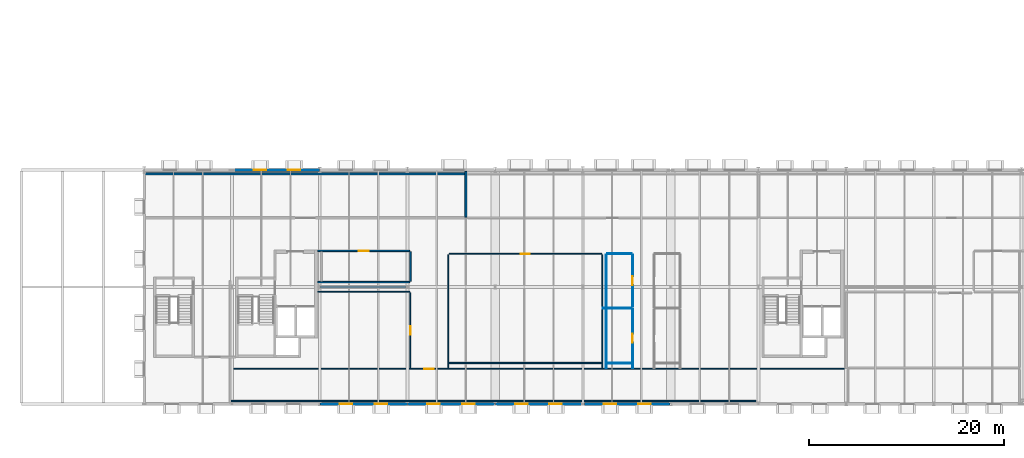
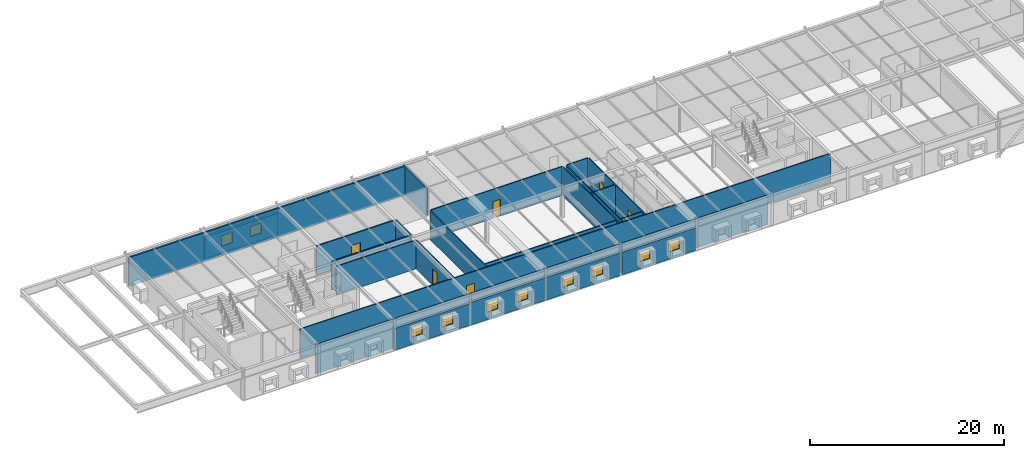
# One storey, part 30 of 36: 26 walls, 10 windows, 6 doors, 16 openings.
"""IFC4 building model written with IfcOpenShell, lengths in metres."""

from ifc_helpers import new_model, si_unit, direction, frame, frame_2d, origin, place, context, subcontext, project, spatial, rectangle, extrude, material, layer, layer_set, type_object, element, fill, save


model = new_model("IFC4")

# Units and contexts
model_context = context("Model", 3, precision=1e-05, world=origin(), true_north=direction((0.0, 1.0)))
body_context = subcontext(model_context, "Body", "Model", "MODEL_VIEW")
ifc_project = project(units=[si_unit("LENGTHUNIT", "METRE"), si_unit("AREAUNIT", "SQUARE_METRE"), si_unit("VOLUMEUNIT", "CUBIC_METRE"), si_unit("PLANEANGLEUNIT", "RADIAN"), si_unit("MASSUNIT", "GRAM", prefix="KILO")], contexts=[model_context])

# Site, building, storey
site_placement = place(None, origin())
site = spatial("IfcSite", under=ifc_project, at=site_placement, CompositionType="ELEMENT")
building_placement = place(site_placement, origin())
building = spatial("IfcBuilding", under=site, at=building_placement, Name="Montelvaro Courts of Justice", CompositionType="ELEMENT")
storey_placement = place(building_placement, frame((0.0, 0.0, 23.39990234375)))
storey = spatial("IfcBuildingStorey", under=building, at=storey_placement, Name="L05", CompositionType="ELEMENT", Elevation=23.39990234375)

# Wall
ifc_material_1 = material(Name="Gypsum board on metal stud")
ifc_layer_1 = layer(ifc_material_1, 0.14990234375)
ifc_layer_set_1 = layer_set([ifc_layer_1], Name="Gypsum board on metal stud")
wall_type_1 = type_object("IfcWallType", Name="ChambersPartition_150", PredefinedType="PARTITIONING", material=ifc_layer_set_1)
wall_1_placement = place(storey_placement, frame((72.219970703125, 12.5, 0.0), z_axis=(0.0, 0.0, 1.0), x_axis=(-1.0, 0.0, 0.0)))
element("IfcWall", 1, at=wall_1_placement, inside=storey, type_object=wall_type_1, Name="Interior Partition IW-04 (L05)", PredefinedType="PARTITIONING", context=body_context, shape_type="SweptSolid", body=[
    extrude(rectangle(XDim=9.425048828125, YDim=0.14990234375, at=frame_2d((4.71240234375, 0.0))), origin(), (0.0, 0.0, 1.0), 3.64013671875),
])

# Wall, opening, door
wall_2_placement = place(storey_placement, frame((62.794921875, 15.699951171875, 0.0), z_axis=(0.0, 0.0, 1.0), x_axis=(1.0, 0.0, 0.0)))
wall_2 = element("IfcWall", 2, at=wall_2_placement, inside=storey, type_object=wall_type_1, Name="Interior Partition IW-04 (L05)", PredefinedType="PARTITIONING", context=body_context, shape_type="SweptSolid", body=[
    extrude(rectangle(XDim=9.425048828125, YDim=0.14990234375, at=frame_2d((4.71240234375, 0.0))), origin(), (0.0, 0.0, 1.0), 3.64013671875),
])
opening_1_placement = place(wall_2_placement, frame((4.18701171875, 0.0, 0.0)))
opening_1 = element("IfcOpeningElement", 3, at=opening_1_placement, cuts=wall_2, Name="Opening D-L05-151", PredefinedType="OPENING", context=body_context, shape_type="SweptSolid", body=[
    extrude(rectangle(XDim=1.050048828125, YDim=2.25, at=frame_2d((0.52490234375, 1.125))), frame((0.0, 0.08984375, 0.0), z_axis=(0.0, -1.0, 0.0), x_axis=(1.0, 0.0, 0.0)), (0.0, 0.0, 1.0), 0.1796875),
])
ifc_material_2 = material(Name="Acoustic oak timber veneer", Category="wood")
door_type_1 = type_object("IfcDoorType", Name="ChamberDoor_105x225", OperationType="NOTDEFINED", PredefinedType="DOOR", material=ifc_material_2)
door_1_placement = place(opening_1_placement, frame((1.050048828125, 0.0, 0.0), z_axis=(0.0, 0.0, 1.0), x_axis=(-1.0, 0.0, 0.0)))
door_1 = element("IfcDoor", 4, at=door_1_placement, inside=storey, type_object=door_type_1, Name="Interior Door D-L05-151 (Magistrates' Clerks Office Central L05)", OperationType="SINGLE_SWING_RIGHT", OverallHeight=2.25, OverallWidth=1.050048828125, PredefinedType="DOOR", context=body_context, shape_type="SweptSolid", body=[
    extrude(rectangle(XDim=1.050048828125, YDim=2.25, at=frame_2d((0.52490234375, 1.125))), frame((0.0, 0.02490234375, 0.0), z_axis=(0.0, -1.0, 0.0), x_axis=(1.0, 0.0, 0.0)), (0.0, 0.0, 1.0), 0.050048828125),
])
fill(opening_1, door_1)

# Walls
wall_3_placement = place(storey_placement, frame((72.300048828125, 15.6201171875, 0.0), z_axis=(0.0, 0.0, 1.0), x_axis=(0.0, -1.0, 0.0)))
element("IfcWall", 5, at=wall_3_placement, inside=storey, type_object=wall_type_1, Name="Interior Partition IW-04 (L05)", PredefinedType="PARTITIONING", context=body_context, shape_type="SweptSolid", body=[
    extrude(rectangle(XDim=3.0400390625, YDim=0.14990234375, at=frame_2d((1.52001953125, 0.0))), origin(), (0.0, 0.0, 1.0), 3.64013671875),
])
ifc_material_3 = material(Name="Gypsum acoustic double stud with mineral wool")
ifc_layer_2 = layer(ifc_material_3, 0.199951171875)
ifc_layer_set_2 = layer_set([ifc_layer_2], Name="Gypsum acoustic double stud with mineral wool")
wall_type_2 = type_object("IfcWallType", Name="CourtAcousticWall_200", PredefinedType="PARTITIONING", material=ifc_layer_set_2)
wall_4_placement = place(storey_placement, frame((45.008056640625, 23.60009765625, 0.0), z_axis=(0.0, 0.0, 1.0), x_axis=(1.0, 0.0, 0.0)))
element("IfcWall", 6, at=wall_4_placement, inside=storey, type_object=wall_type_2, Name="Interior Partition IW-01 (L05)", PredefinedType="PARTITIONING", context=body_context, shape_type="SweptSolid", body=[
    extrude(rectangle(XDim=32.911865234375, YDim=0.199951171875, at=frame_2d((16.4560546875, 0.0))), origin(), (0.0, 0.0, 1.0), 3.64013671875),
])
wall_5_placement = place(storey_placement, frame((78.0, 23.864990234375, 0.0), z_axis=(0.0, 0.0, 1.0), x_axis=(0.0, -1.0, 0.0)))
element("IfcWall", 7, at=wall_5_placement, inside=storey, type_object=wall_type_2, Name="Interior Partition IW-01 (L05)", PredefinedType="PARTITIONING", context=body_context, shape_type="SweptSolid", body=[
    extrude(rectangle(XDim=4.68505859375, YDim=0.199951171875, at=frame_2d((2.342529296875, 0.0))), origin(), (0.0, 0.0, 1.0), 3.55517578125),
])

# Wall, openings, windows
ifc_material_4 = material(Name="White mineral precast concrete C45/55", Category="concrete")
ifc_layer_3 = layer(ifc_material_4, 0.280029296875)
ifc_layer_set_3 = layer_set([ifc_layer_3], Name="White mineral precast concrete C45/55")
wall_type_3 = type_object("IfcWallType", Name="ExtWall_GFRC_280", PredefinedType="SOLIDWALL", material=ifc_layer_set_3)
wall_6_placement = place(storey_placement, frame((63.008056640625, 0.0, 0.0), z_axis=(0.0, 0.0, 1.0), x_axis=(1.0, 0.0, 0.0)))
wall_6 = element("IfcWall", 8, at=wall_6_placement, inside=storey, type_object=wall_type_3, Name="Exterior Facade Wall EW-01 (L05)", PredefinedType="SOLIDWALL", context=body_context, shape_type="SweptSolid", body=[
    extrude(rectangle(XDim=8.98388671875, YDim=0.280029296875, at=frame_2d((4.491943359375, 0.0))), origin(), (0.0, 0.0, 1.0), 2.7470703125),
])
opening_2_placement = place(wall_6_placement, frame((2.044921875, 0.0, 0.89990234375)))
opening_2 = element("IfcOpeningElement", 9, at=opening_2_placement, cuts=wall_6, Name="Opening WE-18", PredefinedType="OPENING", context=body_context, shape_type="SweptSolid", body=[
    extrude(rectangle(XDim=1.300048828125, YDim=1.300048828125, at=frame_2d((0.64990234375, 0.64990234375))), frame((0.0, 0.15478515625, 0.0), z_axis=(0.0, -1.0, 0.0), x_axis=(1.0, 0.0, 0.0)), (0.0, 0.0, 1.0), 0.309814453125),
])
opening_3_placement = place(wall_6_placement, frame((5.638916015625, 0.0, 0.89990234375)))
opening_3 = element("IfcOpeningElement", 10, at=opening_3_placement, cuts=wall_6, Name="Opening WE-18", PredefinedType="OPENING", context=body_context, shape_type="SweptSolid", body=[
    extrude(rectangle(XDim=1.300048828125, YDim=1.300048828125, at=frame_2d((0.64990234375, 0.64990234375))), frame((0.0, 0.15478515625, 0.0), z_axis=(0.0, -1.0, 0.0), x_axis=(1.0, 0.0, 0.0)), (0.0, 0.0, 1.0), 0.309814453125),
])
ifc_material_5 = material(Name="Low-E solar control double glazing", Category="glass")
window_type = type_object("IfcWindowType", Name="Win_Sq_130x130", PartitioningType="SINGLE_PANEL", PredefinedType="WINDOW", material=ifc_material_5)
window_1_placement = place(opening_2_placement, origin())
window_1 = element("IfcWindow", 11, at=window_1_placement, inside=storey, type_object=window_type, Name="Window W-L05-241", OverallHeight=1.300048828125, OverallWidth=1.300048828125, PartitioningType="SINGLE_PANEL", PredefinedType="WINDOW", context=body_context, shape_type="SweptSolid", body=[
    extrude(rectangle(XDim=1.300048828125, YDim=1.300048828125, at=frame_2d((0.64990234375, 0.64990234375))), frame((0.0, 0.030029296875, 0.0), z_axis=(0.0, -1.0, 0.0), x_axis=(1.0, 0.0, 0.0)), (0.0, 0.0, 1.0), 0.06005859375),
])
fill(opening_2, window_1)
window_2_placement = place(opening_3_placement, origin())
window_2 = element("IfcWindow", 12, at=window_2_placement, inside=storey, type_object=window_type, Name="Window W-L05-242", OverallHeight=1.300048828125, OverallWidth=1.300048828125, PartitioningType="SINGLE_PANEL", PredefinedType="WINDOW", context=body_context, shape_type="SweptSolid", body=[
    extrude(rectangle(XDim=1.300048828125, YDim=1.300048828125, at=frame_2d((0.64990234375, 0.64990234375))), frame((0.0, 0.030029296875, 0.0), z_axis=(0.0, -1.0, 0.0), x_axis=(1.0, 0.0, 0.0)), (0.0, 0.0, 1.0), 0.06005859375),
])
fill(opening_3, window_2)

wall_7_placement = place(storey_placement, frame((72.008056640625, 0.0, 0.0), z_axis=(0.0, 0.0, 1.0), x_axis=(1.0, 0.0, 0.0)))
wall_7 = element("IfcWall", 13, at=wall_7_placement, inside=storey, type_object=wall_type_3, Name="Exterior Facade Wall EW-01 (L05)", PredefinedType="SOLIDWALL", context=body_context, shape_type="SweptSolid", body=[
    extrude(rectangle(XDim=8.933837890625, YDim=0.280029296875, at=frame_2d((4.466796875, 0.0))), origin(), (0.0, 0.0, 1.0), 2.85498046875),
])
opening_4_placement = place(wall_7_placement, frame((2.030029296875, 0.0, 0.89990234375)))
opening_4 = element("IfcOpeningElement", 14, at=opening_4_placement, cuts=wall_7, Name="Opening WE-18", PredefinedType="OPENING", context=body_context, shape_type="SweptSolid", body=[
    extrude(rectangle(XDim=1.300048828125, YDim=1.300048828125, at=frame_2d((0.64990234375, 0.64990234375))), frame((0.0, 0.15478515625, 0.0), z_axis=(0.0, -1.0, 0.0), x_axis=(1.0, 0.0, 0.0)), (0.0, 0.0, 1.0), 0.309814453125),
])
opening_5_placement = place(wall_7_placement, frame((5.60400390625, 0.0, 0.89990234375)))
opening_5 = element("IfcOpeningElement", 15, at=opening_5_placement, cuts=wall_7, Name="Opening WE-18", PredefinedType="OPENING", context=body_context, shape_type="SweptSolid", body=[
    extrude(rectangle(XDim=1.300048828125, YDim=1.300048828125, at=frame_2d((0.64990234375, 0.64990234375))), frame((0.0, 0.15478515625, 0.0), z_axis=(0.0, -1.0, 0.0), x_axis=(1.0, 0.0, 0.0)), (0.0, 0.0, 1.0), 0.309814453125),
])
window_3_placement = place(opening_4_placement, origin())
window_3 = element("IfcWindow", 16, at=window_3_placement, inside=storey, type_object=window_type, Name="Window W-L05-243", OverallHeight=1.300048828125, OverallWidth=1.300048828125, PartitioningType="SINGLE_PANEL", PredefinedType="WINDOW", context=body_context, shape_type="SweptSolid", body=[
    extrude(rectangle(XDim=1.300048828125, YDim=1.300048828125, at=frame_2d((0.64990234375, 0.64990234375))), frame((0.0, 0.030029296875, 0.0), z_axis=(0.0, -1.0, 0.0), x_axis=(1.0, 0.0, 0.0)), (0.0, 0.0, 1.0), 0.06005859375),
])
fill(opening_4, window_3)
window_4_placement = place(opening_5_placement, origin())
window_4 = element("IfcWindow", 17, at=window_4_placement, inside=storey, type_object=window_type, Name="Window W-L05-244", OverallHeight=1.300048828125, OverallWidth=1.300048828125, PartitioningType="SINGLE_PANEL", PredefinedType="WINDOW", context=body_context, shape_type="SweptSolid", body=[
    extrude(rectangle(XDim=1.300048828125, YDim=1.300048828125, at=frame_2d((0.64990234375, 0.64990234375))), frame((0.0, 0.030029296875, 0.0), z_axis=(0.0, -1.0, 0.0), x_axis=(1.0, 0.0, 0.0)), (0.0, 0.0, 1.0), 0.06005859375),
])
fill(opening_5, window_4)

wall_8_placement = place(storey_placement, frame((62.991943359375, 24.0, 0.0), z_axis=(0.0, 0.0, 1.0), x_axis=(-1.0, 0.0, 0.0)))
wall_8 = element("IfcWall", 18, at=wall_8_placement, inside=storey, type_object=wall_type_3, Name="Exterior Facade Wall EW-01 (L05)", PredefinedType="SOLIDWALL", context=body_context, shape_type="SweptSolid", body=[
    extrude(rectangle(XDim=8.718994140625, YDim=0.280029296875, at=frame_2d((4.359375, 0.0))), origin(), (0.0, 0.0, 1.0), 2.7470703125),
])
opening_6_placement = place(wall_8_placement, frame((1.966064453125, 0.0, 0.89990234375)))
opening_6 = element("IfcOpeningElement", 19, at=opening_6_placement, cuts=wall_8, Name="Opening WE-18", PredefinedType="OPENING", context=body_context, shape_type="SweptSolid", body=[
    extrude(rectangle(XDim=1.300048828125, YDim=1.300048828125, at=frame_2d((0.64990234375, 0.64990234375))), frame((0.0, 0.15478515625, 0.0), z_axis=(0.0, -1.0, 0.0), x_axis=(1.0, 0.0, 0.0)), (0.0, 0.0, 1.0), 0.309814453125),
])
opening_7_placement = place(wall_8_placement, frame((5.452880859375, 0.0, 0.89990234375)))
opening_7 = element("IfcOpeningElement", 20, at=opening_7_placement, cuts=wall_8, Name="Opening WE-18", PredefinedType="OPENING", context=body_context, shape_type="SweptSolid", body=[
    extrude(rectangle(XDim=1.300048828125, YDim=1.300048828125, at=frame_2d((0.64990234375, 0.64990234375))), frame((0.0, 0.15478515625, 0.0), z_axis=(0.0, -1.0, 0.0), x_axis=(1.0, 0.0, 0.0)), (0.0, 0.0, 1.0), 0.309814453125),
])
window_5_placement = place(opening_6_placement, origin())
window_5 = element("IfcWindow", 21, at=window_5_placement, inside=storey, type_object=window_type, Name="Window W-L05-248", OverallHeight=1.300048828125, OverallWidth=1.300048828125, PartitioningType="SINGLE_PANEL", PredefinedType="WINDOW", context=body_context, shape_type="SweptSolid", body=[
    extrude(rectangle(XDim=1.300048828125, YDim=1.300048828125, at=frame_2d((0.64990234375, 0.64990234375))), frame((0.0, 0.030029296875, 0.0), z_axis=(0.0, -1.0, 0.0), x_axis=(1.0, 0.0, 0.0)), (0.0, 0.0, 1.0), 0.06005859375),
])
fill(opening_6, window_5)
window_6_placement = place(opening_7_placement, origin())
window_6 = element("IfcWindow", 22, at=window_6_placement, inside=storey, type_object=window_type, Name="Window W-L05-249", OverallHeight=1.300048828125, OverallWidth=1.300048828125, PartitioningType="SINGLE_PANEL", PredefinedType="WINDOW", context=body_context, shape_type="SweptSolid", body=[
    extrude(rectangle(XDim=1.300048828125, YDim=1.300048828125, at=frame_2d((0.64990234375, 0.64990234375))), frame((0.0, 0.030029296875, 0.0), z_axis=(0.0, -1.0, 0.0), x_axis=(1.0, 0.0, 0.0)), (0.0, 0.0, 1.0), 0.06005859375),
])
fill(opening_7, window_6)

wall_9_placement = place(storey_placement, frame((81.05810546875, 0.0, 0.0), z_axis=(0.0, 0.0, 1.0), x_axis=(1.0, 0.0, 0.0)))
wall_9 = element("IfcWall", 23, at=wall_9_placement, inside=storey, type_object=wall_type_3, Name="Exterior Facade Wall EW-01 (L05)", PredefinedType="SOLIDWALL", context=body_context, shape_type="SweptSolid", body=[
    extrude(rectangle(XDim=8.783935546875, YDim=0.280029296875, at=frame_2d((4.39208984375, 0.0))), origin(), (0.0, 0.0, 1.0), 2.85498046875),
])
opening_8_placement = place(wall_9_placement, frame((1.985107421875, 0.0, 0.89990234375)))
opening_8 = element("IfcOpeningElement", 24, at=opening_8_placement, cuts=wall_9, Name="Opening WE-18", PredefinedType="OPENING", context=body_context, shape_type="SweptSolid", body=[
    extrude(rectangle(XDim=1.300048828125, YDim=1.300048828125, at=frame_2d((0.64990234375, 0.64990234375))), frame((0.0, 0.15478515625, 0.0), z_axis=(0.0, -1.0, 0.0), x_axis=(1.0, 0.0, 0.0)), (0.0, 0.0, 1.0), 0.309814453125),
])
opening_9_placement = place(wall_9_placement, frame((5.4990234375, 0.0, 0.89990234375)))
opening_9 = element("IfcOpeningElement", 25, at=opening_9_placement, cuts=wall_9, Name="Opening WE-18", PredefinedType="OPENING", context=body_context, shape_type="SweptSolid", body=[
    extrude(rectangle(XDim=1.300048828125, YDim=1.300048828125, at=frame_2d((0.64990234375, 0.64990234375))), frame((0.0, 0.15478515625, 0.0), z_axis=(0.0, -1.0, 0.0), x_axis=(1.0, 0.0, 0.0)), (0.0, 0.0, 1.0), 0.309814453125),
])
window_7_placement = place(opening_8_placement, origin())
window_7 = element("IfcWindow", 26, at=window_7_placement, inside=storey, type_object=window_type, Name="Window W-L05-256", OverallHeight=1.300048828125, OverallWidth=1.300048828125, PartitioningType="SINGLE_PANEL", PredefinedType="WINDOW", context=body_context, shape_type="SweptSolid", body=[
    extrude(rectangle(XDim=1.300048828125, YDim=1.300048828125, at=frame_2d((0.64990234375, 0.64990234375))), frame((0.0, 0.030029296875, 0.0), z_axis=(0.0, -1.0, 0.0), x_axis=(1.0, 0.0, 0.0)), (0.0, 0.0, 1.0), 0.06005859375),
])
fill(opening_8, window_7)
window_8_placement = place(opening_9_placement, origin())
window_8 = element("IfcWindow", 27, at=window_8_placement, inside=storey, type_object=window_type, Name="Window W-L05-257", OverallHeight=1.300048828125, OverallWidth=1.300048828125, PartitioningType="SINGLE_PANEL", PredefinedType="WINDOW", context=body_context, shape_type="SweptSolid", body=[
    extrude(rectangle(XDim=1.300048828125, YDim=1.300048828125, at=frame_2d((0.64990234375, 0.64990234375))), frame((0.0, 0.030029296875, 0.0), z_axis=(0.0, -1.0, 0.0), x_axis=(1.0, 0.0, 0.0)), (0.0, 0.0, 1.0), 0.06005859375),
])
fill(opening_9, window_8)

wall_10_placement = place(storey_placement, frame((90.157958984375, 0.0, 0.0), z_axis=(0.0, 0.0, 1.0), x_axis=(1.0, 0.0, 0.0)))
wall_10 = element("IfcWall", 28, at=wall_10_placement, inside=storey, type_object=wall_type_3, Name="Exterior Facade Wall EW-01 (L05)", PredefinedType="SOLIDWALL", context=body_context, shape_type="SweptSolid", body=[
    extrude(rectangle(XDim=8.783935546875, YDim=0.280029296875, at=frame_2d((4.39208984375, 0.0))), origin(), (0.0, 0.0, 1.0), 2.85498046875),
])
opening_10_placement = place(wall_10_placement, frame((1.985107421875, 0.0, 0.89990234375)))
opening_10 = element("IfcOpeningElement", 29, at=opening_10_placement, cuts=wall_10, Name="Opening WE-18", PredefinedType="OPENING", context=body_context, shape_type="SweptSolid", body=[
    extrude(rectangle(XDim=1.300048828125, YDim=1.300048828125, at=frame_2d((0.64990234375, 0.64990234375))), frame((0.0, 0.15478515625, 0.0), z_axis=(0.0, -1.0, 0.0), x_axis=(1.0, 0.0, 0.0)), (0.0, 0.0, 1.0), 0.309814453125),
])
opening_11_placement = place(wall_10_placement, frame((5.4990234375, 0.0, 0.89990234375)))
opening_11 = element("IfcOpeningElement", 30, at=opening_11_placement, cuts=wall_10, Name="Opening WE-18", PredefinedType="OPENING", context=body_context, shape_type="SweptSolid", body=[
    extrude(rectangle(XDim=1.300048828125, YDim=1.300048828125, at=frame_2d((0.64990234375, 0.64990234375))), frame((0.0, 0.15478515625, 0.0), z_axis=(0.0, -1.0, 0.0), x_axis=(1.0, 0.0, 0.0)), (0.0, 0.0, 1.0), 0.309814453125),
])
window_9_placement = place(opening_10_placement, origin())
window_9 = element("IfcWindow", 31, at=window_9_placement, inside=storey, type_object=window_type, Name="Window W-L05-258", OverallHeight=1.300048828125, OverallWidth=1.300048828125, PartitioningType="SINGLE_PANEL", PredefinedType="WINDOW", context=body_context, shape_type="SweptSolid", body=[
    extrude(rectangle(XDim=1.300048828125, YDim=1.300048828125, at=frame_2d((0.64990234375, 0.64990234375))), frame((0.0, 0.030029296875, 0.0), z_axis=(0.0, -1.0, 0.0), x_axis=(1.0, 0.0, 0.0)), (0.0, 0.0, 1.0), 0.06005859375),
])
fill(opening_10, window_9)
window_10_placement = place(opening_11_placement, origin())
window_10 = element("IfcWindow", 32, at=window_10_placement, inside=storey, type_object=window_type, Name="Window W-L05-259", OverallHeight=1.300048828125, OverallWidth=1.300048828125, PartitioningType="SINGLE_PANEL", PredefinedType="WINDOW", context=body_context, shape_type="SweptSolid", body=[
    extrude(rectangle(XDim=1.300048828125, YDim=1.300048828125, at=frame_2d((0.64990234375, 0.64990234375))), frame((0.0, 0.030029296875, 0.0), z_axis=(0.0, -1.0, 0.0), x_axis=(1.0, 0.0, 0.0)), (0.0, 0.0, 1.0), 0.06005859375),
])
fill(opening_11, window_10)

# Wall
ifc_layer_4 = layer(ifc_material_1, 0.1201171875)
ifc_layer_set_4 = layer_set([ifc_layer_4], Name="Gypsum board on metal stud")
wall_type_4 = type_object("IfcWallType", Name="OfficePartition_120", PredefinedType="PARTITIONING", material=ifc_layer_set_4)
wall_11_placement = place(storey_placement, frame((107.720947265625, 0.300048828125, 0.0), z_axis=(0.0, 0.0, 1.0), x_axis=(-1.0, 0.0, 0.0)))
element("IfcWall", 33, at=wall_11_placement, inside=storey, type_object=wall_type_4, Name="Interior Partition IW-05 (L05)", PredefinedType="PARTITIONING", context=body_context, shape_type="SweptSolid", body=[
    extrude(rectangle(XDim=53.912841796875, YDim=0.1201171875, at=frame_2d((26.95654296875, 0.0))), origin(), (0.0, 0.0, 1.0), 3.64013671875),
])

# Wall, opening, door
wall_12_placement = place(storey_placement, frame((53.8701171875, 3.60009765625, 0.0), z_axis=(0.0, 0.0, 1.0), x_axis=(1.0, 0.0, 0.0)))
wall_12 = element("IfcWall", 34, at=wall_12_placement, inside=storey, type_object=wall_type_4, Name="Interior Partition IW-05 (L05)", PredefinedType="PARTITIONING", context=body_context, shape_type="SweptSolid", body=[
    extrude(rectangle(XDim=63.25, YDim=0.1201171875, at=frame_2d((31.625, 0.0))), origin(), (0.0, 0.0, 1.0), 3.64013671875),
])
opening_12_placement = place(wall_12_placement, frame((19.85498046875, 0.0, 0.0)))
opening_12 = element("IfcOpeningElement", 35, at=opening_12_placement, cuts=wall_12, Name="Opening D-L05-149", PredefinedType="OPENING", context=body_context, shape_type="SweptSolid", body=[
    extrude(rectangle(XDim=0.949951171875, YDim=2.14990234375, at=frame_2d((0.47509765625, 1.074951171875))), frame((0.0, 0.074951171875, 0.0), z_axis=(0.0, -1.0, 0.0), x_axis=(1.0, 0.0, 0.0)), (0.0, 0.0, 1.0), 0.14990234375),
])
door_type_2 = type_object("IfcDoorType", Name="OfficeDoor_095x215", OperationType="NOTDEFINED", PredefinedType="DOOR", material=ifc_material_2)
door_2_placement = place(opening_12_placement, frame((0.949951171875, 0.0, 0.0), z_axis=(0.0, 0.0, 1.0), x_axis=(-1.0, 0.0, 0.0)))
door_2 = element("IfcDoor", 36, at=door_2_placement, inside=storey, type_object=door_type_2, Name="Interior Door D-L05-149 (South Chambers Gallery L05)", OperationType="SINGLE_SWING_RIGHT", OverallHeight=2.14990234375, OverallWidth=0.949951171875, PredefinedType="DOOR", context=body_context, shape_type="SweptSolid", body=[
    extrude(rectangle(XDim=0.949951171875, YDim=2.14990234375, at=frame_2d((0.47509765625, 1.074951171875))), frame((0.0, 0.02490234375, 0.0), z_axis=(0.0, -1.0, 0.0), x_axis=(1.0, 0.0, 0.0)), (0.0, 0.0, 1.0), 0.050048828125),
])
fill(opening_12, door_2)

wall_13_placement = place(storey_placement, frame((72.300048828125, 11.419921875, 0.0), z_axis=(0.0, 0.0, 1.0), x_axis=(0.0, -1.0, 0.0)))
wall_13 = element("IfcWall", 37, at=wall_13_placement, inside=storey, type_object=wall_type_4, Name="Interior Partition IW-05 (L05)", PredefinedType="PARTITIONING", context=body_context, shape_type="SweptSolid", body=[
    extrude(rectangle(XDim=7.764892578125, YDim=0.1201171875, at=frame_2d((3.88232421875, 0.0))), origin(), (0.0, 0.0, 1.0), 3.64013671875),
])
opening_13_placement = place(wall_13_placement, frame((3.43310546875, 0.0, 0.0)))
opening_13 = element("IfcOpeningElement", 38, at=opening_13_placement, cuts=wall_13, Name="Opening D-L05-150", PredefinedType="OPENING", context=body_context, shape_type="SweptSolid", body=[
    extrude(rectangle(XDim=0.89990234375, YDim=2.10009765625, at=frame_2d((0.449951171875, 1.050048828125))), frame((0.0, 0.074951171875, 0.0), z_axis=(0.0, -1.0, 0.0), x_axis=(1.0, 0.0, 0.0)), (0.0, 0.0, 1.0), 0.14990234375),
])
door_type_3 = type_object("IfcDoorType", Name="OfficeDoor_090x210", OperationType="NOTDEFINED", PredefinedType="DOOR", material=ifc_material_2)
door_3_placement = place(opening_13_placement, origin())
door_3 = element("IfcDoor", 39, at=door_3_placement, inside=storey, type_object=door_type_3, Name="Interior Door D-L05-150 (Civil Magistrates' Chambers Central L05)", OperationType="SINGLE_SWING_LEFT", OverallHeight=2.10009765625, OverallWidth=0.89990234375, PredefinedType="DOOR", context=body_context, shape_type="SweptSolid", body=[
    extrude(rectangle(XDim=0.89990234375, YDim=2.10009765625, at=frame_2d((0.449951171875, 1.050048828125))), frame((0.0, 0.02490234375, 0.0), z_axis=(0.0, -1.0, 0.0), x_axis=(1.0, 0.0, 0.0)), (0.0, 0.0, 1.0), 0.050048828125),
])
fill(opening_13, door_3)

# Walls
wall_14_placement = place(storey_placement, frame((62.794921875, 11.5, 0.0), z_axis=(0.0, 0.0, 1.0), x_axis=(1.0, 0.0, 0.0)))
element("IfcWall", 40, at=wall_14_placement, inside=storey, type_object=wall_type_4, Name="Interior Partition IW-05 (L05)", PredefinedType="PARTITIONING", context=body_context, shape_type="SweptSolid", body=[
    extrude(rectangle(XDim=9.425048828125, YDim=0.1201171875, at=frame_2d((4.71240234375, 0.0))), origin(), (0.0, 0.0, 1.0), 3.64013671875),
])
wall_15_placement = place(storey_placement, frame((92.0, 15.320068359375, 0.0), z_axis=(0.0, 0.0, 1.0), x_axis=(0.0, -1.0, 0.0)))
element("IfcWall", 41, at=wall_15_placement, inside=storey, type_object=wall_type_4, Name="Interior Partition IW-05 (L05)", PredefinedType="PARTITIONING", context=body_context, shape_type="SweptSolid", body=[
    extrude(rectangle(XDim=11.6650390625, YDim=0.1201171875, at=frame_2d((5.83251953125, 0.0))), origin(), (0.0, 0.0, 1.0), 3.64013671875),
])
wall_16_placement = place(storey_placement, frame((91.945068359375, 4.199951171875, 0.0), z_axis=(0.0, 0.0, 1.0), x_axis=(-1.0, 0.0, 0.0)))
element("IfcWall", 42, at=wall_16_placement, inside=storey, type_object=wall_type_4, Name="Interior Partition IW-05 (L05)", PredefinedType="PARTITIONING", context=body_context, shape_type="SweptSolid", body=[
    extrude(rectangle(XDim=15.6650390625, YDim=0.1201171875, at=frame_2d((7.83251953125, 0.0))), origin(), (0.0, 0.0, 1.0), 3.64013671875),
])
wall_17_placement = place(storey_placement, frame((76.199951171875, 3.655029296875, 0.0), z_axis=(0.0, 0.0, 1.0), x_axis=(0.0, 1.0, 0.0)))
element("IfcWall", 43, at=wall_17_placement, inside=storey, type_object=wall_type_4, Name="Interior Partition IW-05 (L05)", PredefinedType="PARTITIONING", context=body_context, shape_type="SweptSolid", body=[
    extrude(rectangle(XDim=11.6650390625, YDim=0.1201171875, at=frame_2d((5.83251953125, 0.0))), origin(), (0.0, 0.0, 1.0), 3.64013671875),
])

# Wall, opening, door
wall_18_placement = place(storey_placement, frame((76.280029296875, 15.39990234375, 0.0), z_axis=(0.0, 0.0, 1.0), x_axis=(1.0, 0.0, 0.0)))
wall_18 = element("IfcWall", 44, at=wall_18_placement, inside=storey, type_object=wall_type_4, Name="Interior Partition IW-05 (L05)", PredefinedType="PARTITIONING", context=body_context, shape_type="SweptSolid", body=[
    extrude(rectangle(XDim=15.639892578125, YDim=0.1201171875, at=frame_2d((7.81982421875, 0.0))), origin(), (0.0, 0.0, 1.0), 3.64013671875),
])
opening_14_placement = place(wall_18_placement, frame((7.3701171875, 0.0, 0.0)))
opening_14 = element("IfcOpeningElement", 45, at=opening_14_placement, cuts=wall_18, Name="Opening D-L05-158", PredefinedType="OPENING", context=body_context, shape_type="SweptSolid", body=[
    extrude(rectangle(XDim=0.89990234375, YDim=2.10009765625, at=frame_2d((0.449951171875, 1.050048828125))), frame((0.0, 0.074951171875, 0.0), z_axis=(0.0, -1.0, 0.0), x_axis=(1.0, 0.0, 0.0)), (0.0, 0.0, 1.0), 0.14990234375),
])
door_4_placement = place(opening_14_placement, origin())
door_4 = element("IfcDoor", 46, at=door_4_placement, inside=storey, type_object=door_type_3, Name="Interior Door D-L05-158 (Judicial Conference Room L05)", OperationType="SINGLE_SWING_RIGHT", OverallHeight=2.10009765625, OverallWidth=0.89990234375, PredefinedType="DOOR", context=body_context, shape_type="SweptSolid", body=[
    extrude(rectangle(XDim=0.89990234375, YDim=2.10009765625, at=frame_2d((0.449951171875, 1.050048828125))), frame((0.0, 0.02490234375, 0.0), z_axis=(0.0, -1.0, 0.0), x_axis=(1.0, 0.0, 0.0)), (0.0, 0.0, 1.0), 0.050048828125),
])
fill(opening_14, door_4)

# Walls
ifc_material_6 = material(Name="Concrete C35/45", Category="concrete")
ifc_layer_5 = layer(ifc_material_6, 0.239990234375)
ifc_layer_set_5 = layer_set([ifc_layer_5], Name="Concrete C35/45")
wall_type_5 = type_object("IfcWallType", Name="ShaftWall_240", PredefinedType="SHEAR", material=ifc_layer_set_5)
wall_19_placement = place(storey_placement, frame((63.008056640625, 12.0, 0.0), z_axis=(0.0, 0.0, 1.0), x_axis=(1.0, 0.0, 0.0)))
element("IfcWall", 47, at=wall_19_placement, inside=storey, type_object=wall_type_5, Name="Enclosed Braced Frame Structural Wall CBF1 (L05)", PredefinedType="SHEAR", context=body_context, shape_type="SweptSolid", body=[
    extrude(rectangle(XDim=8.843994140625, YDim=0.239990234375, at=frame_2d((4.421875, 0.0))), origin(), (0.0, 0.0, 1.0), 2.84521484375),
])
ifc_material_7 = material(Name="Moisture-resistant cement board")
ifc_layer_6 = layer(ifc_material_7, 0.10009765625)
ifc_layer_set_6 = layer_set([ifc_layer_6], Name="Moisture-resistant cement board")
wall_type_6 = type_object("IfcWallType", Name="WetWall_100", PredefinedType="PARTITIONING", material=ifc_layer_set_6)
wall_20_placement = place(storey_placement, frame((92.39990234375, 3.655029296875, 0.0), z_axis=(0.0, 0.0, 1.0), x_axis=(0.0, 1.0, 0.0)))
element("IfcWall", 48, at=wall_20_placement, inside=storey, type_object=wall_type_6, Name="Interior Partition IW-06 (L05)", PredefinedType="PARTITIONING", context=body_context, shape_type="SweptSolid", body=[
    extrude(rectangle(XDim=6.06494140625, YDim=0.10009765625, at=frame_2d((3.032470703125, 0.0))), origin(), (0.0, 0.0, 1.0), 3.64013671875),
])
wall_21_placement = place(storey_placement, frame((92.054931640625, 9.800048828125, 0.0), z_axis=(0.0, 0.0, 1.0), x_axis=(1.0, 0.0, 0.0)))
element("IfcWall", 49, at=wall_21_placement, inside=storey, type_object=wall_type_6, Name="Interior Partition IW-06 (L05)", PredefinedType="PARTITIONING", context=body_context, shape_type="SweptSolid", body=[
    extrude(rectangle(XDim=2.965087890625, YDim=0.10009765625, at=frame_2d((1.482421875, 0.0))), origin(), (0.0, 0.0, 1.0), 3.64013671875),
])

# Wall, opening, door
wall_22_placement = place(storey_placement, frame((95.10009765625, 9.719970703125, 0.0), z_axis=(0.0, 0.0, 1.0), x_axis=(0.0, -1.0, 0.0)))
wall_22 = element("IfcWall", 50, at=wall_22_placement, inside=storey, type_object=wall_type_6, Name="Interior Partition IW-06 (L05)", PredefinedType="PARTITIONING", context=body_context, shape_type="SweptSolid", body=[
    extrude(rectangle(XDim=6.06494140625, YDim=0.10009765625, at=frame_2d((3.032470703125, 0.0))), origin(), (0.0, 0.0, 1.0), 3.64013671875),
])
opening_15_placement = place(wall_22_placement, frame((2.529052734375, 0.0, 0.0)))
opening_15 = element("IfcOpeningElement", 51, at=opening_15_placement, cuts=wall_22, Name="Opening D-L05-159", PredefinedType="OPENING", context=body_context, shape_type="SweptSolid", body=[
    extrude(rectangle(XDim=0.89990234375, YDim=2.050048828125, at=frame_2d((0.449951171875, 1.02490234375))), frame((0.0, 0.06494140625, 0.0), z_axis=(0.0, -1.0, 0.0), x_axis=(1.0, 0.0, 0.0)), (0.0, 0.0, 1.0), 0.1298828125),
])
door_type_4 = type_object("IfcDoorType", Name="RestroomDoor_090x205", OperationType="NOTDEFINED", PredefinedType="DOOR", material=ifc_material_2)
door_5_placement = place(opening_15_placement, frame((0.89990234375, 0.0, 0.0), z_axis=(0.0, 0.0, 1.0), x_axis=(-1.0, 0.0, 0.0)))
door_5 = element("IfcDoor", 52, at=door_5_placement, inside=storey, type_object=door_type_4, Name="Interior Door D-L05-159 (Fifth Floor Male Restroom)", OperationType="SINGLE_SWING_LEFT", OverallHeight=2.050048828125, OverallWidth=0.89990234375, PredefinedType="DOOR", context=body_context, shape_type="SweptSolid", body=[
    extrude(rectangle(XDim=0.89990234375, YDim=2.050048828125, at=frame_2d((0.449951171875, 1.02490234375))), frame((0.0, 0.02490234375, 0.0), z_axis=(0.0, -1.0, 0.0), x_axis=(1.0, 0.0, 0.0)), (0.0, 0.0, 1.0), 0.050048828125),
])
fill(opening_15, door_5)

# Walls
wall_23_placement = place(storey_placement, frame((95.054931640625, 4.199951171875, 0.0), z_axis=(0.0, 0.0, 1.0), x_axis=(-1.0, 0.0, 0.0)))
element("IfcWall", 53, at=wall_23_placement, inside=storey, type_object=wall_type_6, Name="Interior Partition IW-06 (L05)", PredefinedType="PARTITIONING", context=body_context, shape_type="SweptSolid", body=[
    extrude(rectangle(XDim=2.60986328125, YDim=0.10009765625, at=frame_2d((1.304931640625, 0.0))), origin(), (0.0, 0.0, 1.0), 3.64013671875),
])
wall_24_placement = place(storey_placement, frame((92.47998046875, 15.39990234375, 0.0), z_axis=(0.0, 0.0, 1.0), x_axis=(1.0, 0.0, 0.0)))
element("IfcWall", 54, at=wall_24_placement, inside=storey, type_object=wall_type_6, Name="Interior Partition IW-06 (L05)", PredefinedType="PARTITIONING", context=body_context, shape_type="SweptSolid", body=[
    extrude(rectangle(XDim=2.5400390625, YDim=0.10009765625, at=frame_2d((1.27001953125, 0.0))), origin(), (0.0, 0.0, 1.0), 3.64013671875),
])

# Wall, opening, door
wall_25_placement = place(storey_placement, frame((95.10009765625, 15.320068359375, 0.0), z_axis=(0.0, 0.0, 1.0), x_axis=(0.0, -1.0, 0.0)))
wall_25 = element("IfcWall", 55, at=wall_25_placement, inside=storey, type_object=wall_type_6, Name="Interior Partition IW-06 (L05)", PredefinedType="PARTITIONING", context=body_context, shape_type="SweptSolid", body=[
    extrude(rectangle(XDim=5.340087890625, YDim=0.10009765625, at=frame_2d((2.669921875, 0.0))), origin(), (0.0, 0.0, 1.0), 3.64013671875),
])
opening_16_placement = place(wall_25_placement, frame((2.219970703125, 0.0, 0.0)))
opening_16 = element("IfcOpeningElement", 56, at=opening_16_placement, cuts=wall_25, Name="Opening D-L05-160", PredefinedType="OPENING", context=body_context, shape_type="SweptSolid", body=[
    extrude(rectangle(XDim=0.89990234375, YDim=2.050048828125, at=frame_2d((0.449951171875, 1.02490234375))), frame((0.0, 0.06494140625, 0.0), z_axis=(0.0, -1.0, 0.0), x_axis=(1.0, 0.0, 0.0)), (0.0, 0.0, 1.0), 0.1298828125),
])
door_6_placement = place(opening_16_placement, origin())
door_6 = element("IfcDoor", 57, at=door_6_placement, inside=storey, type_object=door_type_4, Name="Interior Door D-L05-160 (Fifth Floor Female Restroom)", OperationType="SINGLE_SWING_RIGHT", OverallHeight=2.050048828125, OverallWidth=0.89990234375, PredefinedType="DOOR", context=body_context, shape_type="SweptSolid", body=[
    extrude(rectangle(XDim=0.89990234375, YDim=2.050048828125, at=frame_2d((0.449951171875, 1.02490234375))), frame((0.0, 0.02490234375, 0.0), z_axis=(0.0, -1.0, 0.0), x_axis=(1.0, 0.0, 0.0)), (0.0, 0.0, 1.0), 0.050048828125),
])
fill(opening_16, door_6)

# Wall
wall_26_placement = place(storey_placement, frame((92.39990234375, 9.844970703125, 0.0), z_axis=(0.0, 0.0, 1.0), x_axis=(0.0, 1.0, 0.0)))
element("IfcWall", 58, at=wall_26_placement, inside=storey, type_object=wall_type_6, Name="Interior Partition IW-06 (L05)", PredefinedType="PARTITIONING", context=body_context, shape_type="SweptSolid", body=[
    extrude(rectangle(XDim=5.47509765625, YDim=0.10009765625, at=frame_2d((2.737548828125, 0.0))), origin(), (0.0, 0.0, 1.0), 3.64013671875),
])

save(model, "model.ifc")
